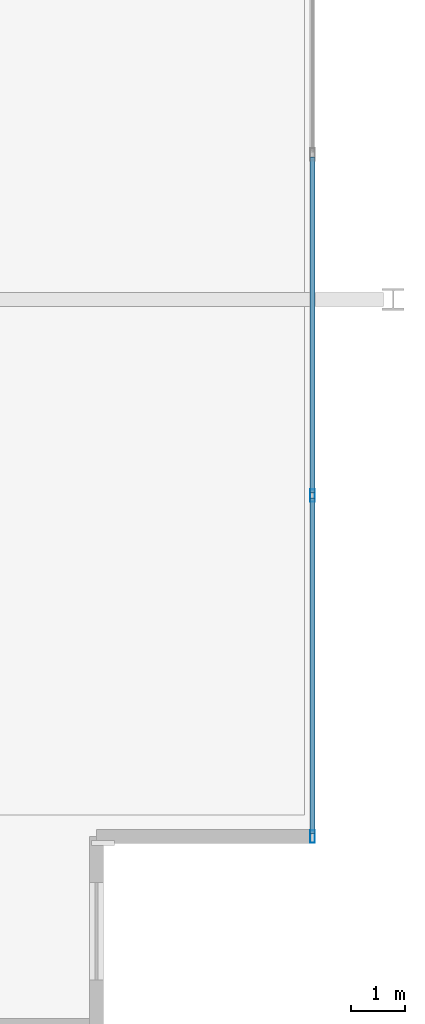
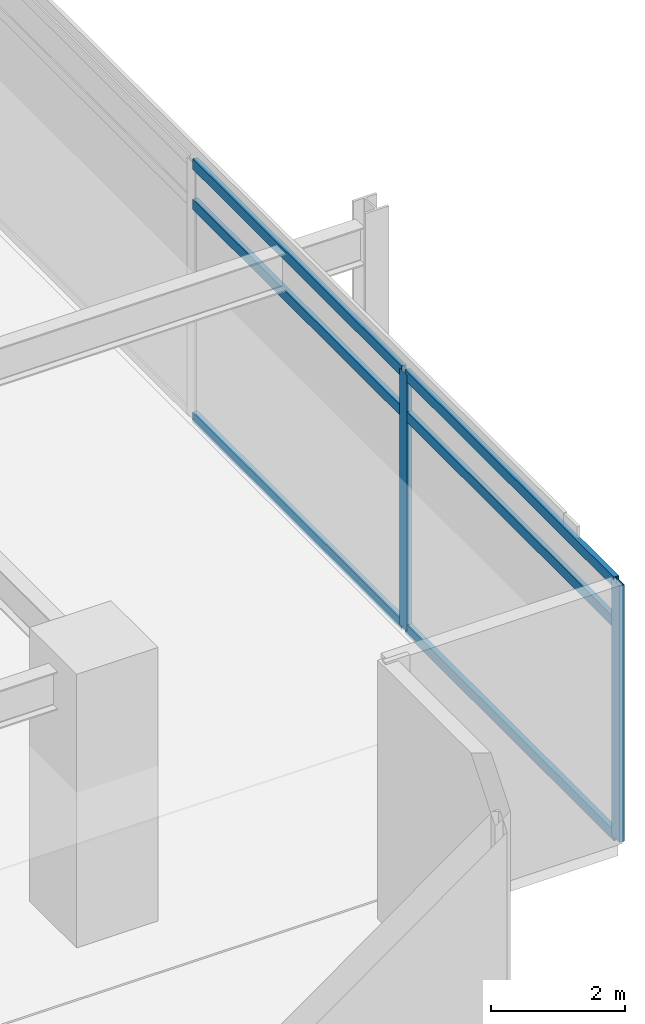
# One storey, part 7 of 25: 8 members, 1 element without a shape of its own.
"""IFC4 building model written with IfcOpenShell, lengths in metres."""

from ifc_helpers import new_model, si_unit, direction, frame, origin, origin_2d, place, context, subcontext, project, spatial, hollow_rectangle, extrude, material, material_profile, profile_set, type_object, element, aggregate, save


model = new_model("IFC4")

# Units and contexts
model_context = context("Model", 3, precision=1e-05, world=origin(), true_north=direction((0.0, 1.0)))
body_context = subcontext(model_context, "Body", "Model", "MODEL_VIEW")
ifc_project = project(units=[si_unit("LENGTHUNIT", "METRE"), si_unit("AREAUNIT", "SQUARE_METRE"), si_unit("VOLUMEUNIT", "CUBIC_METRE"), si_unit("PLANEANGLEUNIT", "RADIAN"), si_unit("MASSUNIT", "GRAM", prefix="KILO")], contexts=[model_context])

# Site, building, storey
site_placement = place(None, origin())
site = spatial("IfcSite", under=ifc_project, at=site_placement, CompositionType="ELEMENT")
building_placement = place(site_placement, origin())
building = spatial("IfcBuilding", under=site, at=building_placement, Name="Kovane Verandah Tower", CompositionType="ELEMENT")
storey_placement = place(building_placement, frame((0.0, 0.0, 233.199951171875)))
storey = spatial("IfcBuildingStorey", under=building, at=storey_placement, Name="L54", CompositionType="ELEMENT", Elevation=233.199951171875)

# Curtain wall, members
ifc_material_1 = material(Name="Champagne Anodised Aluminium Frame with Low-E Clear Laminated Glass", Category="aluminium")
curtain_wall_type = type_object("IfcCurtainWallType", Name="CW-SYS-03-MID", PredefinedType="NOTDEFINED", material=ifc_material_1)
curtain_wall_placement = place(storey_placement, origin())
curtain_wall = element("IfcCurtainWall", 1, at=curtain_wall_placement, inside=storey, type_object=curtain_wall_type, Name="L54 E Unitised Curtain Wall", PredefinedType="NOTDEFINED")
ifc_material_2 = material(Name="Champagne Anodised Aluminium 6063-T6", Category="aluminium")
ifc_material_profile_1 = material_profile(ifc_material_2, hollow_rectangle(XDim=0.0849609375, YDim=0.22998046875, WallThickness=0.00390625, at=origin_2d()), Name="AL85x230x4")
ifc_profile_set_1 = profile_set([ifc_material_profile_1], Name="Champagne Anodised Aluminium 6063-T6")
member_type_1 = type_object("IfcMemberType", Name="CW-MUL-85x230", PredefinedType="MULLION", material=ifc_profile_set_1)
member_1_placement = place(storey_placement, frame((66.107177734375, 8.55029296875, 0.02001953125), z_axis=(0.0, 0.0, 1.0), x_axis=(1.0, 0.0, 0.0)))
member_1 = element("IfcMember", 2, at=member_1_placement, type_object=member_type_1, Name="L54 E Unitised Curtain Wall Mullion 1", PredefinedType="MULLION", context=body_context, shape_type="SweptSolid", body=[
    extrude(hollow_rectangle(XDim=0.0849609375, YDim=0.22998046875, WallThickness=0.00390625, at=origin_2d()), origin(), (0.0, 0.0, 1.0), 4.659912109375),
])
member_2_placement = place(storey_placement, frame((66.107177734375, 14.866943359375, 0.02001953125), z_axis=(0.0, 0.0, 1.0), x_axis=(1.0, 0.0, 0.0)))
member_2 = element("IfcMember", 3, at=member_2_placement, type_object=member_type_1, Name="L54 E Unitised Curtain Wall Mullion 2", PredefinedType="MULLION", context=body_context, shape_type="SweptSolid", body=[
    extrude(hollow_rectangle(XDim=0.0849609375, YDim=0.22998046875, WallThickness=0.00390625, at=origin_2d()), origin(), (0.0, 0.0, 1.0), 4.659912109375),
])
ifc_material_profile_2 = material_profile(ifc_material_2, hollow_rectangle(XDim=0.0849609375, YDim=0.18994140625, WallThickness=0.00390625, at=origin_2d()), Name="AL85x190x4")
ifc_profile_set_2 = profile_set([ifc_material_profile_2], Name="Champagne Anodised Aluminium 6063-T6")
member_type_2 = type_object("IfcMemberType", Name="CW-TRN-85x190", PredefinedType="USERDEFINED", material=ifc_profile_set_2)
member_3_placement = place(storey_placement, frame((66.107177734375, 8.600341796875, 0.050048828125), z_axis=(0.0, 1.0, 0.0), x_axis=(-1.0, 0.0, 0.0)))
member_3 = element("IfcMember", 4, at=member_3_placement, type_object=member_type_2, Name="L54 E Unitised Curtain Wall Transom TB Bay 1", ObjectType="TRANSOM", PredefinedType="USERDEFINED", context=body_context, shape_type="SweptSolid", body=[
    extrude(hollow_rectangle(XDim=0.0849609375, YDim=0.18994140625, WallThickness=0.00390625, at=origin_2d()), origin(), (0.0, 0.0, 1.0), 6.216552734375),
])
member_4_placement = place(storey_placement, frame((66.107177734375, 8.600341796875, 3.920166015625), z_axis=(0.0, 1.0, 0.0), x_axis=(-1.0, 0.0, 0.0)))
member_4 = element("IfcMember", 5, at=member_4_placement, type_object=member_type_2, Name="L54 E Unitised Curtain Wall Transom TM Bay 1", ObjectType="TRANSOM", PredefinedType="USERDEFINED", context=body_context, shape_type="SweptSolid", body=[
    extrude(hollow_rectangle(XDim=0.0849609375, YDim=0.18994140625, WallThickness=0.00390625, at=origin_2d()), origin(), (0.0, 0.0, 1.0), 6.216552734375),
])
member_5_placement = place(storey_placement, frame((66.107177734375, 8.600341796875, 4.650146484375), z_axis=(0.0, 1.0, 0.0), x_axis=(-1.0, 0.0, 0.0)))
member_5 = element("IfcMember", 6, at=member_5_placement, type_object=member_type_2, Name="L54 E Unitised Curtain Wall Transom TT Bay 1", ObjectType="TRANSOM", PredefinedType="USERDEFINED", context=body_context, shape_type="SweptSolid", body=[
    extrude(hollow_rectangle(XDim=0.0849609375, YDim=0.18994140625, WallThickness=0.00390625, at=origin_2d()), origin(), (0.0, 0.0, 1.0), 6.216552734375),
])
member_6_placement = place(storey_placement, frame((66.107177734375, 14.9169921875, 0.050048828125), z_axis=(0.0, 1.0, 0.0), x_axis=(-1.0, 0.0, 0.0)))
member_6 = element("IfcMember", 7, at=member_6_placement, type_object=member_type_2, Name="L54 E Unitised Curtain Wall Transom TB Bay 2", ObjectType="TRANSOM", PredefinedType="USERDEFINED", context=body_context, shape_type="SweptSolid", body=[
    extrude(hollow_rectangle(XDim=0.0849609375, YDim=0.18994140625, WallThickness=0.00390625, at=origin_2d()), origin(), (0.0, 0.0, 1.0), 6.216552734375),
])
member_7_placement = place(storey_placement, frame((66.107177734375, 14.9169921875, 3.920166015625), z_axis=(0.0, 1.0, 0.0), x_axis=(-1.0, 0.0, 0.0)))
member_7 = element("IfcMember", 8, at=member_7_placement, type_object=member_type_2, Name="L54 E Unitised Curtain Wall Transom TM Bay 2", ObjectType="TRANSOM", PredefinedType="USERDEFINED", context=body_context, shape_type="SweptSolid", body=[
    extrude(hollow_rectangle(XDim=0.0849609375, YDim=0.18994140625, WallThickness=0.00390625, at=origin_2d()), origin(), (0.0, 0.0, 1.0), 6.216552734375),
])
member_8_placement = place(storey_placement, frame((66.107177734375, 14.9169921875, 4.650146484375), z_axis=(0.0, 1.0, 0.0), x_axis=(-1.0, 0.0, 0.0)))
member_8 = element("IfcMember", 9, at=member_8_placement, type_object=member_type_2, Name="L54 E Unitised Curtain Wall Transom TT Bay 2", ObjectType="TRANSOM", PredefinedType="USERDEFINED", context=body_context, shape_type="SweptSolid", body=[
    extrude(hollow_rectangle(XDim=0.0849609375, YDim=0.18994140625, WallThickness=0.00390625, at=origin_2d()), origin(), (0.0, 0.0, 1.0), 6.216552734375),
])
aggregate(curtain_wall, [member_1, member_2, member_3, member_4, member_5, member_6, member_7, member_8])

save(model, "model.ifc")
